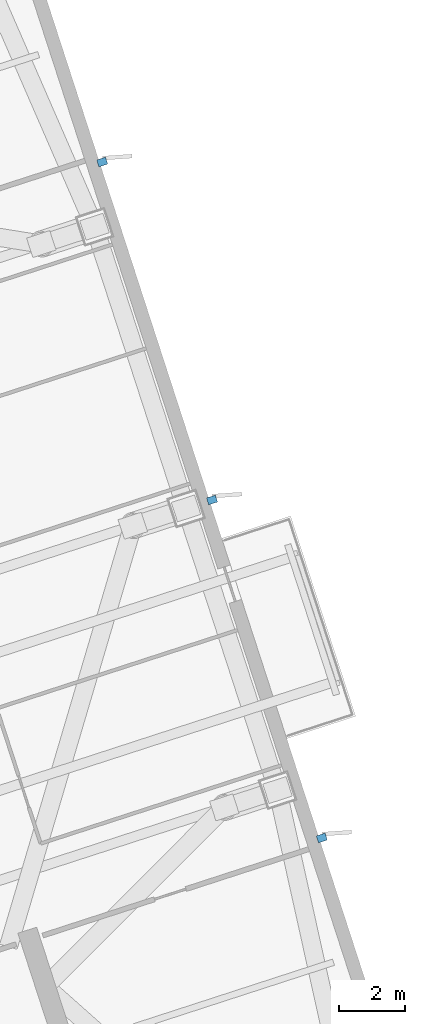
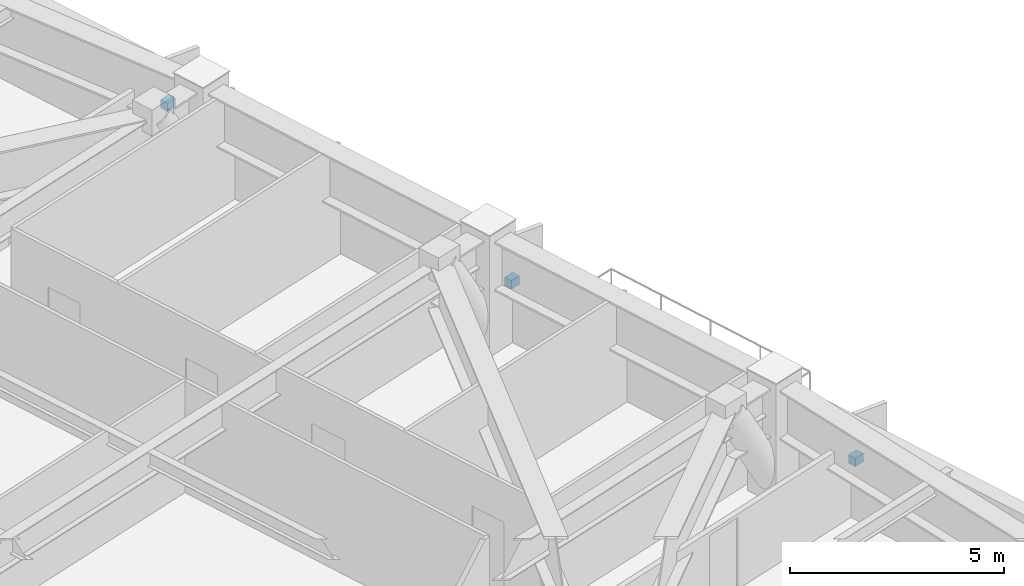
# One storey, part 12 of 17: 3 discrete accessories.
"""IFC4 building model written with IfcOpenShell, lengths in metres."""

import ifcopenshell
import ifcopenshell.guid

model = None  # the IFC model being written
_history = None  # IfcOwnerHistory: only IFC2X3 demands one
_inside = {}  # id of a spatial element -> (the spatial element, [elements in it])
_under = {}  # id of a project, library or spatial element -> (it, [spatial elements below it])
_declared = {}  # id of a project -> (the project, [libraries it declares])
_typed = {}  # id of a type object -> (the type object, [elements of that type])
_made_of = {}  # id of a material, layer set ... -> (it, [elements and type objects made of it])


def new_model(schema):
    """Start an empty IFC model of exactly this schema.

    Asked for "IFC4X3", IfcOpenShell would pick the latest addendum, in which some entities
    have other attributes; the version numbers below select the first issue.
    IFC2X3 requires an IfcOwnerHistory on every rooted entity: one is made here for all.
    """
    global model, _history
    if schema == "IFC4X3":
        model = ifcopenshell.file(schema_version=(4, 3, 0, 0))
    else:
        model = ifcopenshell.file(schema=schema)
    _inside.clear()
    _under.clear()
    _declared.clear()
    _typed.clear()
    _made_of.clear()
    _history = None
    if model.schema == "IFC2X3":
        org = make("IfcOrganization", Name="unknown")
        user = make(
            "IfcPersonAndOrganization",
            ThePerson=make("IfcPerson", FamilyName="unknown"),
            TheOrganization=org,
        )
        app = make(
            "IfcApplication",
            ApplicationDeveloper=org,
            Version="unknown",
            ApplicationFullName="unknown",
            ApplicationIdentifier="unknown",
        )
        _history = make(
            "IfcOwnerHistory",
            OwningUser=user,
            OwningApplication=app,
            ChangeAction="ADDED",
            CreationDate=0,
        )
    return model


def make(cls, **values):
    """One entity of the class cls with the attributes given. An attribute that is None is left unset."""
    return model.create_entity(
        cls, **{name: value for name, value in values.items() if value is not None}
    )


def rooted(cls, **values):
    """An entity with a GlobalId (a new one), such as an element, a storey or a relation."""
    return make(cls, GlobalId=ifcopenshell.guid.new(), OwnerHistory=_history, **values)


def si_unit(unit_type, name, prefix=None):
    """IfcSIUnit, for example si_unit("LENGTHUNIT", "METRE", prefix="MILLI")."""
    return make("IfcSIUnit", UnitType=unit_type, Prefix=prefix, Name=name)


def assignment(units):
    """IfcUnitAssignment: the units of a project."""
    return None if units is None else make("IfcUnitAssignment", Units=units)


def point(xyz):
    """IfcCartesianPoint."""
    return None if xyz is None else make("IfcCartesianPoint", Coordinates=xyz)


def direction(xyz):
    """IfcDirection."""
    return None if xyz is None else make("IfcDirection", DirectionRatios=xyz)


def frame(location, z_axis=None, x_axis=None):
    """IfcAxis2Placement3D, a coordinate frame: its origin and axes. An axis left out is left unset."""
    return make(
        "IfcAxis2Placement3D",
        Location=point(location),
        Axis=direction(z_axis),
        RefDirection=direction(x_axis),
    )


def frame_2d(location, x_axis=None):
    """IfcAxis2Placement2D, a coordinate frame in the plane: its origin and x axis."""
    return make(
        "IfcAxis2Placement2D", Location=point(location), RefDirection=direction(x_axis)
    )


def origin():
    """The frame at (0, 0, 0) with its axes left unset."""
    return frame((0.0, 0.0, 0.0))


def origin_2d():
    """The frame at (0, 0) in the plane with its x axis left unset."""
    return frame_2d((0.0, 0.0))


def place(relative_to, where):
    """IfcLocalPlacement: puts the frame where relative to a parent placement (None: the world)."""
    return make(
        "IfcLocalPlacement", PlacementRelTo=relative_to, RelativePlacement=where
    )


def context(
    kind, dimensions, precision=None, world=None, true_north=None, identifier=None
):
    """IfcGeometricRepresentationContext, for example the 3D "Model" context."""
    return make(
        "IfcGeometricRepresentationContext",
        ContextIdentifier=identifier,
        ContextType=kind,
        CoordinateSpaceDimension=dimensions,
        Precision=precision,
        WorldCoordinateSystem=world,
        TrueNorth=true_north,
    )


def subcontext(parent, identifier, kind, view, scale=None):
    """IfcGeometricRepresentationSubContext, for example "Body" below "Model"."""
    return make(
        "IfcGeometricRepresentationSubContext",
        ContextIdentifier=identifier,
        ContextType=kind,
        ParentContext=parent,
        TargetScale=scale,
        TargetView=view,
    )


def project(units=None, contexts=None):
    """IfcProject with its units and contexts."""
    return rooted(
        "IfcProject",
        Name="project",
        RepresentationContexts=contexts,
        UnitsInContext=assignment(units),
    )


def spatial(cls, under=None, at=None, **own):
    """A site, building, storey or space (cls), placed at a placement, below another one or the project."""
    s = rooted(cls, ObjectPlacement=at, **own)
    if under is not None:
        _under.setdefault(under.id(), (under, []))[1].append(s)
    return s


def profile(cls, at=None, kind="AREA", **sizes):
    """A parametric profile (cls). Its sizes go by their IFC names, for example OverallWidth=200.0."""
    return make(cls, ProfileType=kind, Position=at, **sizes)


def rectangle(**sizes):
    """IfcRectangleProfileDef."""
    return profile("IfcRectangleProfileDef", **sizes)


def extrude(swept, where, along, depth):
    """IfcExtrudedAreaSolid: the profile swept, set in the frame where, extruded along a direction by depth."""
    return make(
        "IfcExtrudedAreaSolid",
        SweptArea=swept,
        Position=where,
        ExtrudedDirection=direction(along),
        Depth=depth,
    )


def shape(context_of_items, identifier, shape_type, items):
    """IfcShapeRepresentation: the items that make up one representation, for example the "Body"."""
    return make(
        "IfcShapeRepresentation",
        ContextOfItems=context_of_items,
        RepresentationIdentifier=identifier,
        RepresentationType=shape_type,
        Items=items,
    )


def material(Name=None, Category=None):
    """IfcMaterial."""
    return make("IfcMaterial", Name=Name, Category=Category)


def made_of(thing, what):
    """Note that an element or type object is made of a material, layer set ...; save() writes the relation."""
    if what is not None:
        _made_of.setdefault(what.id(), (what, []))[1].append(thing)
    return thing


def type_object(cls, material=None, **own):
    """A type object (cls), such as IfcWallType, which elements share."""
    return made_of(rooted(cls, **own), material)


def element(
    cls,
    number,
    at=None,
    inside=None,
    cuts=None,
    type_object=None,
    material=None,
    context=None,
    identifier="Body",
    shape_type=None,
    held_by="IfcProductDefinitionShape",
    body=None,
    shapes=None,
    **own,
):
    """One element of the class cls, such as IfcWall. Its Tag is "e" and its number.

    at: its placement. inside: the storey or other place that contains it. cuts: it is an
    opening in that element (IfcRelVoidsElement). A single representation is given by context,
    identifier, shape_type and body (its items); several are given by shapes. held_by: the class
    of the entity that holds the representations. save() writes the other relations.
    """
    e = rooted(cls, Tag="e%d" % number, ObjectPlacement=at, **own)
    if body is not None:
        shapes = [shape(context, identifier, shape_type, body)]
    if shapes is not None:
        e.Representation = make(held_by, Representations=shapes)
    if inside is not None:
        _inside.setdefault(inside.id(), (inside, []))[1].append(e)
    if cuts is not None:
        rooted(
            "IfcRelVoidsElement", RelatingBuildingElement=cuts, RelatedOpeningElement=e
        )
    if type_object is not None:
        _typed.setdefault(type_object.id(), (type_object, []))[1].append(e)
    return made_of(e, material)


def aggregate(whole, parts):
    """IfcRelAggregates: a whole, such as a stair, and the parts it consists of."""
    return rooted("IfcRelAggregates", RelatingObject=whole, RelatedObjects=parts)


def save(model, path):
    """Write the relations noted so far, then the file.

    IfcRelAggregates (storeys below a building ...), IfcRelContainedInSpatialStructure (elements
    in a storey), IfcRelDefinesByType, IfcRelAssociatesMaterial and IfcRelDeclares: one each for
    every whole, place, type object, material and project.
    """
    for whole, parts in _under.values():
        aggregate(whole, parts)
    for where, things in _inside.values():
        rooted(
            "IfcRelContainedInSpatialStructure",
            RelatedElements=things,
            RelatingStructure=where,
        )
    for kind, things in _typed.values():
        rooted("IfcRelDefinesByType", RelatedObjects=things, RelatingType=kind)
    for what, things in _made_of.values():
        rooted("IfcRelAssociatesMaterial", RelatedObjects=things, RelatingMaterial=what)
    for by, libraries in _declared.values():
        rooted("IfcRelDeclares", RelatingContext=by, RelatedDefinitions=libraries)
    model.write(path)


model = new_model("IFC4")

# Units and contexts
model_context = context("Model", 3, precision=1e-05, world=origin(), true_north=direction((0.0, 1.0)))
body_context = subcontext(model_context, "Body", "Model", "MODEL_VIEW")
ifc_project = project(units=[si_unit("LENGTHUNIT", "METRE"), si_unit("AREAUNIT", "SQUARE_METRE"), si_unit("VOLUMEUNIT", "CUBIC_METRE"), si_unit("PLANEANGLEUNIT", "RADIAN"), si_unit("MASSUNIT", "GRAM", prefix="KILO")], contexts=[model_context])

# Site, building, storey
site_placement = place(None, origin())
site = spatial("IfcSite", under=ifc_project, at=site_placement, CompositionType="ELEMENT")
building_placement = place(site_placement, origin())
building = spatial("IfcBuilding", under=site, at=building_placement, Name="Qiaolan Cultural Towers", CompositionType="ELEMENT")
storey_placement = place(building_placement, frame((0.0, 0.0, 131.10009765625)))
storey = spatial("IfcBuildingStorey", under=building, at=storey_placement, Name="L34", CompositionType="ELEMENT", Elevation=131.10009765625)

# Discrete accessories
ifc_material = material(Name="Stainless Steel S31608 Facade Anchor Bracket", Category="steel")
discrete_accessory_type = type_object("IfcDiscreteAccessoryType", Name="ACC-BRK-SS", PredefinedType="BRACKET", material=ifc_material)
for number, where, z_axis, x_axis, name in (
    (1, (110.056884765625, 29.1611328125, 1.18505859375), (0.0, 0.0, 1.0), (0.951056516295, 0.309016994375, 0.0), "L34 T2 Facade Fin Anchor Bracket E1"),
    (2, (106.719482421875, 39.4326171875, 1.18505859375), (0.0, 0.0, 1.0), (0.951056516295, 0.309016994375, 0.0), "L34 T2 Facade Fin Anchor Bracket E2"),
    (3, (103.382080078125, 49.703857421875, 1.18505859375), (0.0, 0.0, 1.0), (0.951056516295, 0.309016994375, 0.0), "L34 T2 Facade Fin Anchor Bracket E3"),
):
    element("IfcDiscreteAccessory", number, at=place(storey_placement, frame(where, z_axis=z_axis, x_axis=x_axis)), inside=storey, type_object=discrete_accessory_type, Name=name, PredefinedType="BRACKET", context=body_context, shape_type="SweptSolid", body=[
        extrude(rectangle(XDim=0.280029296875, YDim=0.219970703125, at=origin_2d()), origin(), (0.0, 0.0, 1.0), 0.239990234375),
    ])

save(model, "model.ifc")
